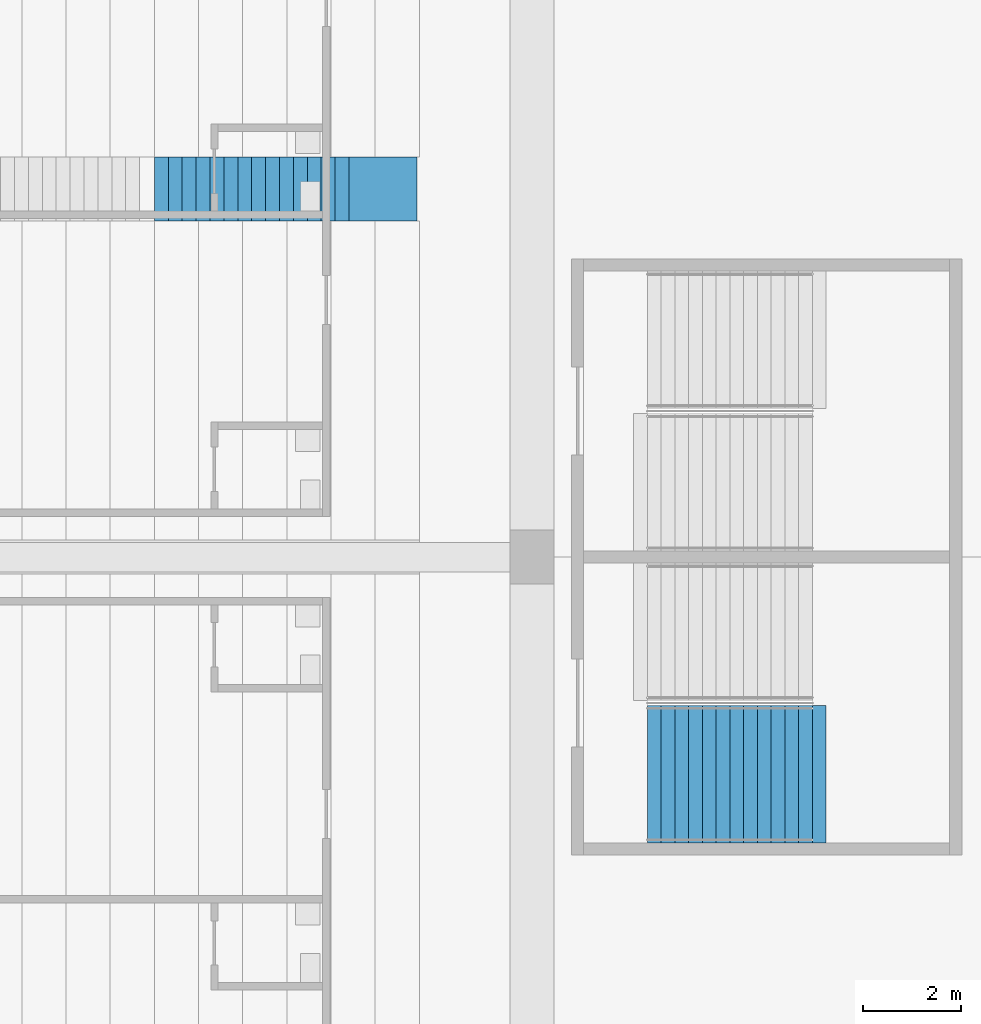
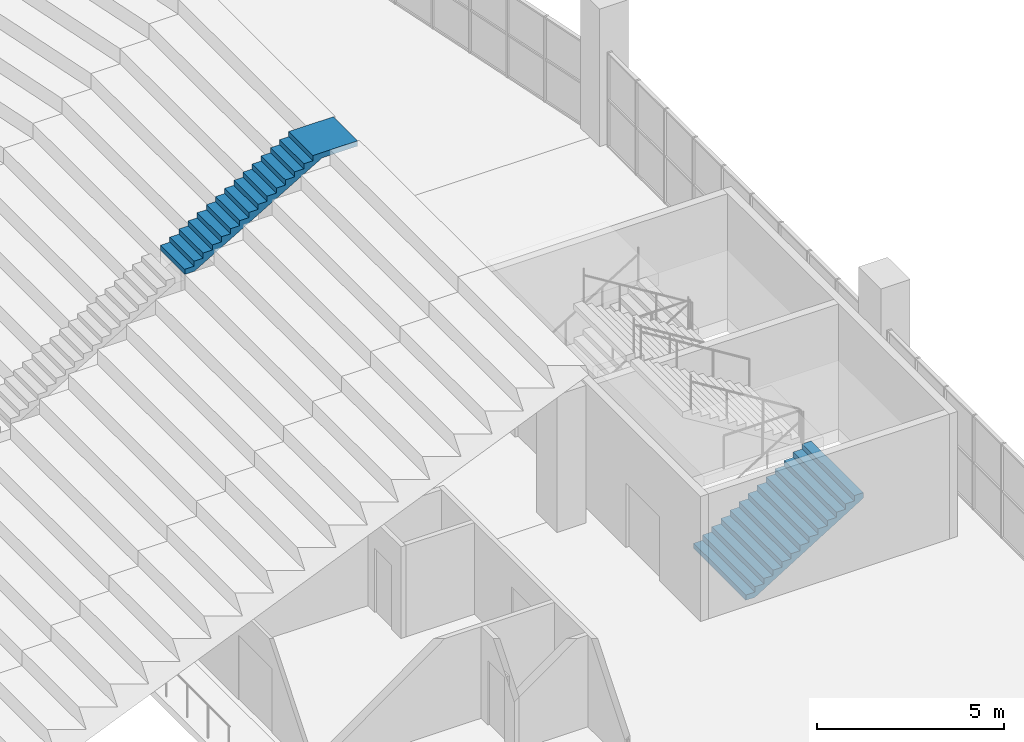
# One storey, part 220 of 249: 2 stair flights, 2 elements without a shape of their own.
"""IFC4 building model written with IfcOpenShell, lengths in metres."""

from ifc_helpers import new_model, si_unit, direction, frame, origin, place, context, subcontext, project, spatial, faceted_brep, material, type_object, element, aggregate, save


model = new_model("IFC4")

# Units and contexts
model_context = context("Model", 3, precision=1e-05, world=origin(), true_north=direction((0.0, 1.0)))
body_context = subcontext(model_context, "Body", "Model", "MODEL_VIEW")
ifc_project = project(units=[si_unit("LENGTHUNIT", "METRE"), si_unit("AREAUNIT", "SQUARE_METRE"), si_unit("VOLUMEUNIT", "CUBIC_METRE"), si_unit("PLANEANGLEUNIT", "RADIAN"), si_unit("MASSUNIT", "GRAM", prefix="KILO")], contexts=[model_context])

# Site, building, storey
site_placement = place(None, origin())
site = spatial("IfcSite", under=ifc_project, at=site_placement, CompositionType="ELEMENT")
building_placement = place(site_placement, origin())
building = spatial("IfcBuilding", under=site, at=building_placement, Name="Ogive Plaza Stadium", CompositionType="ELEMENT")
storey_placement = place(building_placement, frame((0.0, 0.0, 13.5)))
storey = spatial("IfcBuildingStorey", under=building, at=storey_placement, Name="L03", CompositionType="ELEMENT", Elevation=13.5)

# Stair, stair flight
ifc_material_1 = material(Name="Concrete C40/50", Category="concrete")
stair_type_1 = type_object("IfcStairType", Name="Aisle stair", PredefinedType="STRAIGHT_RUN_STAIR", material=ifc_material_1)
stair_1_placement = place(storey_placement, origin())
stair_1 = element("IfcStair", 1, at=stair_1_placement, inside=storey, type_object=stair_type_1, Name="Aisle stair SA01U", PredefinedType="STRAIGHT_RUN_STAIR")
ifc_material_2 = material(Name="Concrete C40/50", Category="concrete")
stair_flight_type_1 = type_object("IfcStairFlightType", Name="Aisle stair flight", PredefinedType="STRAIGHT", material=ifc_material_2)
stair_flight_1_placement = place(storey_placement, frame((66.300048828125, 45.0, 6.5), z_axis=(0.0, 0.0, 1.0), x_axis=(1.0, 0.0, 0.0)))
stair_flight_1 = element("IfcStairFlight", 2, at=stair_flight_1_placement, type_object=stair_flight_type_1, Name="SA01U flight 3", NumberOfRisers=15, NumberOfTreads=14, PredefinedType="STRAIGHT", RiserHeight=0.166666667, TreadLength=0.283333333, context=body_context, shape_type="Brep", body=[
    faceted_brep([(0.295654296875, -0.64990234375, 0.0), (4.25, -0.64990234375, 2.326171875), (5.35009765625, -0.64990234375, 2.326171875), (5.35009765625, -0.64990234375, 2.5), (3.966552734375, -0.64990234375, 2.5), (3.966552734375, -0.64990234375, 2.333251953125), (3.683349609375, -0.64990234375, 2.333251953125), (3.683349609375, -0.64990234375, 2.166748046875), (3.39990234375, -0.64990234375, 2.166748046875), (3.39990234375, -0.64990234375, 2.0), (3.11669921875, -0.64990234375, 2.0), (3.11669921875, -0.64990234375, 1.833251953125), (2.833251953125, -0.64990234375, 1.833251953125), (2.833251953125, -0.64990234375, 1.666748046875), (2.550048828125, -0.64990234375, 1.666748046875), (2.550048828125, -0.64990234375, 1.5), (2.2666015625, -0.64990234375, 1.5), (2.2666015625, -0.64990234375, 1.333251953125), (1.9833984375, -0.64990234375, 1.333251953125), (1.9833984375, -0.64990234375, 1.166748046875), (1.699951171875, -0.64990234375, 1.166748046875), (1.699951171875, -0.64990234375, 1.0), (1.416748046875, -0.64990234375, 1.0), (1.416748046875, -0.64990234375, 0.833251953125), (1.13330078125, -0.64990234375, 0.833251953125), (1.13330078125, -0.64990234375, 0.666748046875), (0.85009765625, -0.64990234375, 0.666748046875), (0.85009765625, -0.64990234375, 0.5), (0.566650390625, -0.64990234375, 0.5), (0.566650390625, -0.64990234375, 0.333251953125), (0.283447265625, -0.64990234375, 0.333251953125), (0.283447265625, -0.64990234375, 0.166748046875), (0.0, -0.64990234375, 0.166748046875), (0.0, -0.64990234375, 0.0), (0.0, 0.64990234375, 0.0), (0.0, 0.64990234375, 0.166748046875), (0.283447265625, 0.64990234375, 0.166748046875), (0.283447265625, 0.64990234375, 0.333251953125), (0.566650390625, 0.64990234375, 0.333251953125), (0.566650390625, 0.64990234375, 0.5), (0.85009765625, 0.64990234375, 0.5), (0.85009765625, 0.64990234375, 0.666748046875), (1.13330078125, 0.64990234375, 0.666748046875), (1.13330078125, 0.64990234375, 0.833251953125), (1.416748046875, 0.64990234375, 0.833251953125), (1.416748046875, 0.64990234375, 1.0), (1.699951171875, 0.64990234375, 1.0), (1.699951171875, 0.64990234375, 1.166748046875), (1.9833984375, 0.64990234375, 1.166748046875), (1.9833984375, 0.64990234375, 1.333251953125), (2.2666015625, 0.64990234375, 1.333251953125), (2.2666015625, 0.64990234375, 1.5), (2.550048828125, 0.64990234375, 1.5), (2.550048828125, 0.64990234375, 1.666748046875), (2.833251953125, 0.64990234375, 1.666748046875), (2.833251953125, 0.64990234375, 1.833251953125), (3.11669921875, 0.64990234375, 1.833251953125), (3.11669921875, 0.64990234375, 2.0), (3.39990234375, 0.64990234375, 2.0), (3.39990234375, 0.64990234375, 2.166748046875), (3.683349609375, 0.64990234375, 2.166748046875), (3.683349609375, 0.64990234375, 2.333251953125), (3.966552734375, 0.64990234375, 2.333251953125), (3.966552734375, 0.64990234375, 2.5), (5.35009765625, 0.64990234375, 2.5), (5.35009765625, 0.64990234375, 2.326171875), (4.25, 0.64990234375, 2.326171875), (0.295654296875, 0.64990234375, 0.0), (0.295654296875, -0.324951171875, 0.0), (4.25, -0.324951171875, 2.326171875), (0.295654296875, 0.0, 0.0), (4.25, 0.0, 2.326171875), (0.295654296875, 0.324951171875, 0.0), (4.25, 0.324951171875, 2.326171875), (5.35009765625, -0.324951171875, 2.326171875), (5.35009765625, 0.0, 2.326171875), (5.35009765625, 0.324951171875, 2.326171875), (5.35009765625, -0.324951171875, 2.5), (5.35009765625, 0.0, 2.5), (5.35009765625, 0.324951171875, 2.5), (3.966552734375, -0.324951171875, 2.5), (3.966552734375, 0.0, 2.5), (3.966552734375, 0.324951171875, 2.5), (3.966552734375, -0.324951171875, 2.333251953125), (3.966552734375, 0.0, 2.333251953125), (3.966552734375, 0.324951171875, 2.333251953125), (3.683349609375, -0.324951171875, 2.333251953125), (3.683349609375, 0.0, 2.333251953125), (3.683349609375, 0.324951171875, 2.333251953125), (3.683349609375, -0.324951171875, 2.166748046875), (3.683349609375, 0.0, 2.166748046875), (3.683349609375, 0.324951171875, 2.166748046875), (3.39990234375, -0.324951171875, 2.166748046875), (3.39990234375, 0.0, 2.166748046875), (3.39990234375, 0.324951171875, 2.166748046875), (3.39990234375, -0.324951171875, 2.0), (3.39990234375, 0.0, 2.0), (3.39990234375, 0.324951171875, 2.0), (3.11669921875, -0.324951171875, 2.0), (3.11669921875, 0.0, 2.0), (3.11669921875, 0.324951171875, 2.0), (3.11669921875, -0.324951171875, 1.833251953125), (3.11669921875, 0.0, 1.833251953125), (3.11669921875, 0.324951171875, 1.833251953125), (2.833251953125, -0.324951171875, 1.833251953125), (2.833251953125, 0.0, 1.833251953125), (2.833251953125, 0.324951171875, 1.833251953125), (2.833251953125, -0.324951171875, 1.666748046875), (2.833251953125, 0.0, 1.666748046875), (2.833251953125, 0.324951171875, 1.666748046875), (2.550048828125, -0.324951171875, 1.666748046875), (2.550048828125, 0.0, 1.666748046875), (2.550048828125, 0.324951171875, 1.666748046875), (2.550048828125, -0.324951171875, 1.5), (2.550048828125, 0.0, 1.5), (2.550048828125, 0.324951171875, 1.5), (2.2666015625, -0.324951171875, 1.5), (2.2666015625, 0.0, 1.5), (2.2666015625, 0.324951171875, 1.5), (2.2666015625, -0.324951171875, 1.333251953125), (2.2666015625, 0.0, 1.333251953125), (2.2666015625, 0.324951171875, 1.333251953125), (1.9833984375, -0.324951171875, 1.333251953125), (1.9833984375, 0.0, 1.333251953125), (1.9833984375, 0.324951171875, 1.333251953125), (1.9833984375, -0.324951171875, 1.166748046875), (1.9833984375, 0.0, 1.166748046875), (1.9833984375, 0.324951171875, 1.166748046875), (1.699951171875, -0.324951171875, 1.166748046875), (1.699951171875, 0.0, 1.166748046875), (1.699951171875, 0.324951171875, 1.166748046875), (1.699951171875, -0.324951171875, 1.0), (1.699951171875, 0.0, 1.0), (1.699951171875, 0.324951171875, 1.0), (1.416748046875, -0.324951171875, 1.0), (1.416748046875, 0.0, 1.0), (1.416748046875, 0.324951171875, 1.0), (1.416748046875, -0.324951171875, 0.833251953125), (1.416748046875, 0.0, 0.833251953125), (1.416748046875, 0.324951171875, 0.833251953125), (1.13330078125, -0.324951171875, 0.833251953125), (1.13330078125, 0.0, 0.833251953125), (1.13330078125, 0.324951171875, 0.833251953125), (1.13330078125, -0.324951171875, 0.666748046875), (1.13330078125, 0.0, 0.666748046875), (1.13330078125, 0.324951171875, 0.666748046875), (0.85009765625, -0.324951171875, 0.666748046875), (0.85009765625, 0.0, 0.666748046875), (0.85009765625, 0.324951171875, 0.666748046875), (0.85009765625, -0.324951171875, 0.5), (0.85009765625, 0.0, 0.5), (0.85009765625, 0.324951171875, 0.5), (0.566650390625, -0.324951171875, 0.5), (0.566650390625, 0.0, 0.5), (0.566650390625, 0.324951171875, 0.5), (0.566650390625, -0.324951171875, 0.333251953125), (0.566650390625, 0.0, 0.333251953125), (0.566650390625, 0.324951171875, 0.333251953125), (0.283447265625, -0.324951171875, 0.333251953125), (0.283447265625, 0.0, 0.333251953125), (0.283447265625, 0.324951171875, 0.333251953125), (0.283447265625, -0.324951171875, 0.166748046875), (0.283447265625, 0.0, 0.166748046875), (0.283447265625, 0.324951171875, 0.166748046875), (0.0, -0.324951171875, 0.166748046875), (0.0, 0.0, 0.166748046875), (0.0, 0.324951171875, 0.166748046875), (0.0, -0.324951171875, 0.0), (0.0, 0.0, 0.0), (0.0, 0.324951171875, 0.0)], [[[0, 1, 2, 3, 4, 5, 6, 7, 8, 9, 10, 11, 12, 13, 14, 15, 16, 17, 18, 19, 20, 21, 22, 23, 24, 25, 26, 27, 28, 29, 30, 31, 32, 33]], [[34, 35, 36, 37, 38, 39, 40, 41, 42, 43, 44, 45, 46, 47, 48, 49, 50, 51, 52, 53, 54, 55, 56, 57, 58, 59, 60, 61, 62, 63, 64, 65, 66, 67]], [[0, 68, 69, 1]], [[68, 70, 71, 69]], [[70, 72, 73, 71]], [[72, 67, 66, 73]], [[1, 69, 74, 2]], [[69, 71, 75, 74]], [[71, 73, 76, 75]], [[73, 66, 65, 76]], [[2, 74, 77, 3]], [[74, 75, 78, 77]], [[75, 76, 79, 78]], [[76, 65, 64, 79]], [[3, 77, 80, 4]], [[77, 78, 81, 80]], [[78, 79, 82, 81]], [[79, 64, 63, 82]], [[4, 80, 83, 5]], [[80, 81, 84, 83]], [[81, 82, 85, 84]], [[82, 63, 62, 85]], [[5, 83, 86, 6]], [[83, 84, 87, 86]], [[84, 85, 88, 87]], [[85, 62, 61, 88]], [[6, 86, 89, 7]], [[86, 87, 90, 89]], [[87, 88, 91, 90]], [[88, 61, 60, 91]], [[7, 89, 92, 8]], [[89, 90, 93, 92]], [[90, 91, 94, 93]], [[91, 60, 59, 94]], [[8, 92, 95, 9]], [[92, 93, 96, 95]], [[93, 94, 97, 96]], [[94, 59, 58, 97]], [[9, 95, 98, 10]], [[95, 96, 99, 98]], [[96, 97, 100, 99]], [[97, 58, 57, 100]], [[10, 98, 101, 11]], [[98, 99, 102, 101]], [[99, 100, 103, 102]], [[100, 57, 56, 103]], [[11, 101, 104, 12]], [[101, 102, 105, 104]], [[102, 103, 106, 105]], [[103, 56, 55, 106]], [[12, 104, 107, 13]], [[104, 105, 108, 107]], [[105, 106, 109, 108]], [[106, 55, 54, 109]], [[13, 107, 110, 14]], [[107, 108, 111, 110]], [[108, 109, 112, 111]], [[109, 54, 53, 112]], [[14, 110, 113, 15]], [[110, 111, 114, 113]], [[111, 112, 115, 114]], [[112, 53, 52, 115]], [[15, 113, 116, 16]], [[113, 114, 117, 116]], [[114, 115, 118, 117]], [[115, 52, 51, 118]], [[16, 116, 119, 17]], [[116, 117, 120, 119]], [[117, 118, 121, 120]], [[118, 51, 50, 121]], [[17, 119, 122, 18]], [[119, 120, 123, 122]], [[120, 121, 124, 123]], [[121, 50, 49, 124]], [[18, 122, 125, 19]], [[122, 123, 126, 125]], [[123, 124, 127, 126]], [[124, 49, 48, 127]], [[19, 125, 128, 20]], [[125, 126, 129, 128]], [[126, 127, 130, 129]], [[127, 48, 47, 130]], [[20, 128, 131, 21]], [[128, 129, 132, 131]], [[129, 130, 133, 132]], [[130, 47, 46, 133]], [[21, 131, 134, 22]], [[131, 132, 135, 134]], [[132, 133, 136, 135]], [[133, 46, 45, 136]], [[22, 134, 137, 23]], [[134, 135, 138, 137]], [[135, 136, 139, 138]], [[136, 45, 44, 139]], [[23, 137, 140, 24]], [[137, 138, 141, 140]], [[138, 139, 142, 141]], [[139, 44, 43, 142]], [[24, 140, 143, 25]], [[140, 141, 144, 143]], [[141, 142, 145, 144]], [[142, 43, 42, 145]], [[25, 143, 146, 26]], [[143, 144, 147, 146]], [[144, 145, 148, 147]], [[145, 42, 41, 148]], [[26, 146, 149, 27]], [[146, 147, 150, 149]], [[147, 148, 151, 150]], [[148, 41, 40, 151]], [[27, 149, 152, 28]], [[149, 150, 153, 152]], [[150, 151, 154, 153]], [[151, 40, 39, 154]], [[28, 152, 155, 29]], [[152, 153, 156, 155]], [[153, 154, 157, 156]], [[154, 39, 38, 157]], [[29, 155, 158, 30]], [[155, 156, 159, 158]], [[156, 157, 160, 159]], [[157, 38, 37, 160]], [[30, 158, 161, 31]], [[158, 159, 162, 161]], [[159, 160, 163, 162]], [[160, 37, 36, 163]], [[31, 161, 164, 32]], [[161, 162, 165, 164]], [[162, 163, 166, 165]], [[163, 36, 35, 166]], [[32, 164, 167, 33]], [[164, 165, 168, 167]], [[165, 166, 169, 168]], [[166, 35, 34, 169]], [[33, 167, 68, 0]], [[167, 168, 70, 68]], [[168, 169, 72, 70]], [[169, 34, 67, 72]]]),
])
aggregate(stair_1, [stair_flight_1])

ifc_material_3 = material(Name="Concrete C40/50", Category="concrete")
stair_type_2 = type_object("IfcStairType", Name="Exit stair", PredefinedType="STRAIGHT_RUN_STAIR", material=ifc_material_3)
stair_2_placement = place(storey_placement, origin())
stair_2 = element("IfcStair", 3, at=stair_2_placement, inside=storey, type_object=stair_type_2, Name="Exit stair ST02A L03 to L04", PredefinedType="STRAIGHT_RUN_STAIR")
ifc_material_4 = material(Name="Concrete C40/50", Category="concrete")
stair_flight_type_2 = type_object("IfcStairFlightType", Name="Exit stair flight", PredefinedType="STRAIGHT", material=ifc_material_4)
stair_flight_2_placement = place(storey_placement, frame((76.35009765625, 33.074951171875, 0.0), z_axis=(0.0, 0.0, 1.0), x_axis=(1.0, 0.0, 0.0)))
stair_flight_2 = element("IfcStairFlight", 4, at=stair_flight_2_placement, type_object=stair_flight_type_2, Name="ST02A flight 1", NumberOfRisers=13, NumberOfTreads=12, PredefinedType="STRAIGHT", RiserHeight=0.173076923, TreadLength=0.28, context=body_context, shape_type="Brep", body=[
    faceted_brep([(0.28515625, -1.39990234375, 0.0), (3.639892578125, -1.39990234375, 2.07373046875), (3.639892578125, -1.39990234375, 2.25), (3.360107421875, -1.39990234375, 2.25), (3.360107421875, -1.39990234375, 2.076904296875), (3.080078125, -1.39990234375, 2.076904296875), (3.080078125, -1.39990234375, 1.90380859375), (2.800048828125, -1.39990234375, 1.90380859375), (2.800048828125, -1.39990234375, 1.730712890625), (2.52001953125, -1.39990234375, 1.730712890625), (2.52001953125, -1.39990234375, 1.5576171875), (2.239990234375, -1.39990234375, 1.5576171875), (2.239990234375, -1.39990234375, 1.384521484375), (1.9599609375, -1.39990234375, 1.384521484375), (1.9599609375, -1.39990234375, 1.21142578125), (1.679931640625, -1.39990234375, 1.21142578125), (1.679931640625, -1.39990234375, 1.03857421875), (1.39990234375, -1.39990234375, 1.03857421875), (1.39990234375, -1.39990234375, 0.865478515625), (1.1201171875, -1.39990234375, 0.865478515625), (1.1201171875, -1.39990234375, 0.6923828125), (0.840087890625, -1.39990234375, 0.6923828125), (0.840087890625, -1.39990234375, 0.519287109375), (0.56005859375, -1.39990234375, 0.519287109375), (0.56005859375, -1.39990234375, 0.34619140625), (0.280029296875, -1.39990234375, 0.34619140625), (0.280029296875, -1.39990234375, 0.173095703125), (0.0, -1.39990234375, 0.173095703125), (0.0, -1.39990234375, 0.0), (0.0, 1.39990234375, 0.0), (0.0, 1.39990234375, 0.173095703125), (0.280029296875, 1.39990234375, 0.173095703125), (0.280029296875, 1.39990234375, 0.34619140625), (0.56005859375, 1.39990234375, 0.34619140625), (0.56005859375, 1.39990234375, 0.519287109375), (0.840087890625, 1.39990234375, 0.519287109375), (0.840087890625, 1.39990234375, 0.6923828125), (1.1201171875, 1.39990234375, 0.6923828125), (1.1201171875, 1.39990234375, 0.865478515625), (1.39990234375, 1.39990234375, 0.865478515625), (1.39990234375, 1.39990234375, 1.03857421875), (1.679931640625, 1.39990234375, 1.03857421875), (1.679931640625, 1.39990234375, 1.21142578125), (1.9599609375, 1.39990234375, 1.21142578125), (1.9599609375, 1.39990234375, 1.384521484375), (2.239990234375, 1.39990234375, 1.384521484375), (2.239990234375, 1.39990234375, 1.5576171875), (2.52001953125, 1.39990234375, 1.5576171875), (2.52001953125, 1.39990234375, 1.730712890625), (2.800048828125, 1.39990234375, 1.730712890625), (2.800048828125, 1.39990234375, 1.90380859375), (3.080078125, 1.39990234375, 1.90380859375), (3.080078125, 1.39990234375, 2.076904296875), (3.360107421875, 1.39990234375, 2.076904296875), (3.360107421875, 1.39990234375, 2.25), (3.639892578125, 1.39990234375, 2.25), (3.639892578125, 1.39990234375, 2.07373046875), (0.28515625, 1.39990234375, 0.0), (0.28515625, -1.0888671875, 0.0), (3.639892578125, -1.0888671875, 2.07373046875), (0.28515625, -0.77783203125, 0.0), (3.639892578125, -0.77783203125, 2.07373046875), (0.28515625, -0.466796875, 0.0), (3.639892578125, -0.466796875, 2.07373046875), (0.28515625, -0.155517578125, 0.0), (3.639892578125, -0.155517578125, 2.07373046875), (0.28515625, 0.155517578125, 0.0), (3.639892578125, 0.155517578125, 2.07373046875), (0.28515625, 0.466796875, 0.0), (3.639892578125, 0.466796875, 2.07373046875), (0.28515625, 0.77783203125, 0.0), (3.639892578125, 0.77783203125, 2.07373046875), (0.28515625, 1.0888671875, 0.0), (3.639892578125, 1.0888671875, 2.07373046875), (3.639892578125, -1.0888671875, 2.25), (3.639892578125, -0.77783203125, 2.25), (3.639892578125, -0.466796875, 2.25), (3.639892578125, -0.155517578125, 2.25), (3.639892578125, 0.155517578125, 2.25), (3.639892578125, 0.466796875, 2.25), (3.639892578125, 0.77783203125, 2.25), (3.639892578125, 1.0888671875, 2.25), (3.360107421875, -1.0888671875, 2.25), (3.360107421875, -0.77783203125, 2.25), (3.360107421875, -0.466796875, 2.25), (3.360107421875, -0.155517578125, 2.25), (3.360107421875, 0.155517578125, 2.25), (3.360107421875, 0.466796875, 2.25), (3.360107421875, 0.77783203125, 2.25), (3.360107421875, 1.0888671875, 2.25), (3.360107421875, -1.0888671875, 2.076904296875), (3.360107421875, -0.77783203125, 2.076904296875), (3.360107421875, -0.466796875, 2.076904296875), (3.360107421875, -0.155517578125, 2.076904296875), (3.360107421875, 0.155517578125, 2.076904296875), (3.360107421875, 0.466796875, 2.076904296875), (3.360107421875, 0.77783203125, 2.076904296875), (3.360107421875, 1.0888671875, 2.076904296875), (3.080078125, -1.0888671875, 2.076904296875), (3.080078125, -0.77783203125, 2.076904296875), (3.080078125, -0.466796875, 2.076904296875), (3.080078125, -0.155517578125, 2.076904296875), (3.080078125, 0.155517578125, 2.076904296875), (3.080078125, 0.466796875, 2.076904296875), (3.080078125, 0.77783203125, 2.076904296875), (3.080078125, 1.0888671875, 2.076904296875), (3.080078125, -1.0888671875, 1.90380859375), (3.080078125, -0.77783203125, 1.90380859375), (3.080078125, -0.466796875, 1.90380859375), (3.080078125, -0.155517578125, 1.90380859375), (3.080078125, 0.155517578125, 1.90380859375), (3.080078125, 0.466796875, 1.90380859375), (3.080078125, 0.77783203125, 1.90380859375), (3.080078125, 1.0888671875, 1.90380859375), (2.800048828125, -1.0888671875, 1.90380859375), (2.800048828125, -0.77783203125, 1.90380859375), (2.800048828125, -0.466796875, 1.90380859375), (2.800048828125, -0.155517578125, 1.90380859375), (2.800048828125, 0.155517578125, 1.90380859375), (2.800048828125, 0.466796875, 1.90380859375), (2.800048828125, 0.77783203125, 1.90380859375), (2.800048828125, 1.0888671875, 1.90380859375), (2.800048828125, -1.0888671875, 1.730712890625), (2.800048828125, -0.77783203125, 1.730712890625), (2.800048828125, -0.466796875, 1.730712890625), (2.800048828125, -0.155517578125, 1.730712890625), (2.800048828125, 0.155517578125, 1.730712890625), (2.800048828125, 0.466796875, 1.730712890625), (2.800048828125, 0.77783203125, 1.730712890625), (2.800048828125, 1.0888671875, 1.730712890625), (2.52001953125, -1.0888671875, 1.730712890625), (2.52001953125, -0.77783203125, 1.730712890625), (2.52001953125, -0.466796875, 1.730712890625), (2.52001953125, -0.155517578125, 1.730712890625), (2.52001953125, 0.155517578125, 1.730712890625), (2.52001953125, 0.466796875, 1.730712890625), (2.52001953125, 0.77783203125, 1.730712890625), (2.52001953125, 1.0888671875, 1.730712890625), (2.52001953125, -1.0888671875, 1.5576171875), (2.52001953125, -0.77783203125, 1.5576171875), (2.52001953125, -0.466796875, 1.5576171875), (2.52001953125, -0.155517578125, 1.5576171875), (2.52001953125, 0.155517578125, 1.5576171875), (2.52001953125, 0.466796875, 1.5576171875), (2.52001953125, 0.77783203125, 1.5576171875), (2.52001953125, 1.0888671875, 1.5576171875), (2.239990234375, -1.0888671875, 1.5576171875), (2.239990234375, -0.77783203125, 1.5576171875), (2.239990234375, -0.466796875, 1.5576171875), (2.239990234375, -0.155517578125, 1.5576171875), (2.239990234375, 0.155517578125, 1.5576171875), (2.239990234375, 0.466796875, 1.5576171875), (2.239990234375, 0.77783203125, 1.5576171875), (2.239990234375, 1.0888671875, 1.5576171875), (2.239990234375, -1.0888671875, 1.384521484375), (2.239990234375, -0.77783203125, 1.384521484375), (2.239990234375, -0.466796875, 1.384521484375), (2.239990234375, -0.155517578125, 1.384521484375), (2.239990234375, 0.155517578125, 1.384521484375), (2.239990234375, 0.466796875, 1.384521484375), (2.239990234375, 0.77783203125, 1.384521484375), (2.239990234375, 1.0888671875, 1.384521484375), (1.9599609375, -1.0888671875, 1.384521484375), (1.9599609375, -0.77783203125, 1.384521484375), (1.9599609375, -0.466796875, 1.384521484375), (1.9599609375, -0.155517578125, 1.384521484375), (1.9599609375, 0.155517578125, 1.384521484375), (1.9599609375, 0.466796875, 1.384521484375), (1.9599609375, 0.77783203125, 1.384521484375), (1.9599609375, 1.0888671875, 1.384521484375), (1.9599609375, -1.0888671875, 1.21142578125), (1.9599609375, -0.77783203125, 1.21142578125), (1.9599609375, -0.466796875, 1.21142578125), (1.9599609375, -0.155517578125, 1.21142578125), (1.9599609375, 0.155517578125, 1.21142578125), (1.9599609375, 0.466796875, 1.21142578125), (1.9599609375, 0.77783203125, 1.21142578125), (1.9599609375, 1.0888671875, 1.21142578125), (1.679931640625, -1.0888671875, 1.21142578125), (1.679931640625, -0.77783203125, 1.21142578125), (1.679931640625, -0.466796875, 1.21142578125), (1.679931640625, -0.155517578125, 1.21142578125), (1.679931640625, 0.155517578125, 1.21142578125), (1.679931640625, 0.466796875, 1.21142578125), (1.679931640625, 0.77783203125, 1.21142578125), (1.679931640625, 1.0888671875, 1.21142578125), (1.679931640625, -1.0888671875, 1.03857421875), (1.679931640625, -0.77783203125, 1.03857421875), (1.679931640625, -0.466796875, 1.03857421875), (1.679931640625, -0.155517578125, 1.03857421875), (1.679931640625, 0.155517578125, 1.03857421875), (1.679931640625, 0.466796875, 1.03857421875), (1.679931640625, 0.77783203125, 1.03857421875), (1.679931640625, 1.0888671875, 1.03857421875), (1.39990234375, -1.0888671875, 1.03857421875), (1.39990234375, -0.77783203125, 1.03857421875), (1.39990234375, -0.466796875, 1.03857421875), (1.39990234375, -0.155517578125, 1.03857421875), (1.39990234375, 0.155517578125, 1.03857421875), (1.39990234375, 0.466796875, 1.03857421875), (1.39990234375, 0.77783203125, 1.03857421875), (1.39990234375, 1.0888671875, 1.03857421875), (1.39990234375, -1.0888671875, 0.865478515625), (1.39990234375, -0.77783203125, 0.865478515625), (1.39990234375, -0.466796875, 0.865478515625), (1.39990234375, -0.155517578125, 0.865478515625), (1.39990234375, 0.155517578125, 0.865478515625), (1.39990234375, 0.466796875, 0.865478515625), (1.39990234375, 0.77783203125, 0.865478515625), (1.39990234375, 1.0888671875, 0.865478515625), (1.1201171875, -1.0888671875, 0.865478515625), (1.1201171875, -0.77783203125, 0.865478515625), (1.1201171875, -0.466796875, 0.865478515625), (1.1201171875, -0.155517578125, 0.865478515625), (1.1201171875, 0.155517578125, 0.865478515625), (1.1201171875, 0.466796875, 0.865478515625), (1.1201171875, 0.77783203125, 0.865478515625), (1.1201171875, 1.0888671875, 0.865478515625), (1.1201171875, -1.0888671875, 0.6923828125), (1.1201171875, -0.77783203125, 0.6923828125), (1.1201171875, -0.466796875, 0.6923828125), (1.1201171875, -0.155517578125, 0.6923828125), (1.1201171875, 0.155517578125, 0.6923828125), (1.1201171875, 0.466796875, 0.6923828125), (1.1201171875, 0.77783203125, 0.6923828125), (1.1201171875, 1.0888671875, 0.6923828125), (0.840087890625, -1.0888671875, 0.6923828125), (0.840087890625, -0.77783203125, 0.6923828125), (0.840087890625, -0.466796875, 0.6923828125), (0.840087890625, -0.155517578125, 0.6923828125), (0.840087890625, 0.155517578125, 0.6923828125), (0.840087890625, 0.466796875, 0.6923828125), (0.840087890625, 0.77783203125, 0.6923828125), (0.840087890625, 1.0888671875, 0.6923828125), (0.840087890625, -1.0888671875, 0.519287109375), (0.840087890625, -0.77783203125, 0.519287109375), (0.840087890625, -0.466796875, 0.519287109375), (0.840087890625, -0.155517578125, 0.519287109375), (0.840087890625, 0.155517578125, 0.519287109375), (0.840087890625, 0.466796875, 0.519287109375), (0.840087890625, 0.77783203125, 0.519287109375), (0.840087890625, 1.0888671875, 0.519287109375), (0.56005859375, -1.0888671875, 0.519287109375), (0.56005859375, -0.77783203125, 0.519287109375), (0.56005859375, -0.466796875, 0.519287109375), (0.56005859375, -0.155517578125, 0.519287109375), (0.56005859375, 0.155517578125, 0.519287109375), (0.56005859375, 0.466796875, 0.519287109375), (0.56005859375, 0.77783203125, 0.519287109375), (0.56005859375, 1.0888671875, 0.519287109375), (0.56005859375, -1.0888671875, 0.34619140625), (0.56005859375, -0.77783203125, 0.34619140625), (0.56005859375, -0.466796875, 0.34619140625), (0.56005859375, -0.155517578125, 0.34619140625), (0.56005859375, 0.155517578125, 0.34619140625), (0.56005859375, 0.466796875, 0.34619140625), (0.56005859375, 0.77783203125, 0.34619140625), (0.56005859375, 1.0888671875, 0.34619140625), (0.280029296875, -1.0888671875, 0.34619140625), (0.280029296875, -0.77783203125, 0.34619140625), (0.280029296875, -0.466796875, 0.34619140625), (0.280029296875, -0.155517578125, 0.34619140625), (0.280029296875, 0.155517578125, 0.34619140625), (0.280029296875, 0.466796875, 0.34619140625), (0.280029296875, 0.77783203125, 0.34619140625), (0.280029296875, 1.0888671875, 0.34619140625), (0.280029296875, -1.0888671875, 0.173095703125), (0.280029296875, -0.77783203125, 0.173095703125), (0.280029296875, -0.466796875, 0.173095703125), (0.280029296875, -0.155517578125, 0.173095703125), (0.280029296875, 0.155517578125, 0.173095703125), (0.280029296875, 0.466796875, 0.173095703125), (0.280029296875, 0.77783203125, 0.173095703125), (0.280029296875, 1.0888671875, 0.173095703125), (0.0, -1.0888671875, 0.173095703125), (0.0, -0.77783203125, 0.173095703125), (0.0, -0.466796875, 0.173095703125), (0.0, -0.155517578125, 0.173095703125), (0.0, 0.155517578125, 0.173095703125), (0.0, 0.466796875, 0.173095703125), (0.0, 0.77783203125, 0.173095703125), (0.0, 1.0888671875, 0.173095703125), (0.0, -1.0888671875, 0.0), (0.0, -0.77783203125, 0.0), (0.0, -0.466796875, 0.0), (0.0, -0.155517578125, 0.0), (0.0, 0.155517578125, 0.0), (0.0, 0.466796875, 0.0), (0.0, 0.77783203125, 0.0), (0.0, 1.0888671875, 0.0)], [[[0, 1, 2, 3, 4, 5, 6, 7, 8, 9, 10, 11, 12, 13, 14, 15, 16, 17, 18, 19, 20, 21, 22, 23, 24, 25, 26, 27, 28]], [[29, 30, 31, 32, 33, 34, 35, 36, 37, 38, 39, 40, 41, 42, 43, 44, 45, 46, 47, 48, 49, 50, 51, 52, 53, 54, 55, 56, 57]], [[0, 58, 59, 1]], [[58, 60, 61, 59]], [[60, 62, 63, 61]], [[62, 64, 65, 63]], [[64, 66, 67, 65]], [[66, 68, 69, 67]], [[68, 70, 71, 69]], [[70, 72, 73, 71]], [[72, 57, 56, 73]], [[1, 59, 74, 2]], [[59, 61, 75, 74]], [[61, 63, 76, 75]], [[63, 65, 77, 76]], [[65, 67, 78, 77]], [[67, 69, 79, 78]], [[69, 71, 80, 79]], [[71, 73, 81, 80]], [[73, 56, 55, 81]], [[2, 74, 82, 3]], [[74, 75, 83, 82]], [[75, 76, 84, 83]], [[76, 77, 85, 84]], [[77, 78, 86, 85]], [[78, 79, 87, 86]], [[79, 80, 88, 87]], [[80, 81, 89, 88]], [[81, 55, 54, 89]], [[3, 82, 90, 4]], [[82, 83, 91, 90]], [[83, 84, 92, 91]], [[84, 85, 93, 92]], [[85, 86, 94, 93]], [[86, 87, 95, 94]], [[87, 88, 96, 95]], [[88, 89, 97, 96]], [[89, 54, 53, 97]], [[4, 90, 98, 5]], [[90, 91, 99, 98]], [[91, 92, 100, 99]], [[92, 93, 101, 100]], [[93, 94, 102, 101]], [[94, 95, 103, 102]], [[95, 96, 104, 103]], [[96, 97, 105, 104]], [[97, 53, 52, 105]], [[5, 98, 106, 6]], [[98, 99, 107, 106]], [[99, 100, 108, 107]], [[100, 101, 109, 108]], [[101, 102, 110, 109]], [[102, 103, 111, 110]], [[103, 104, 112, 111]], [[104, 105, 113, 112]], [[105, 52, 51, 113]], [[6, 106, 114, 7]], [[106, 107, 115, 114]], [[107, 108, 116, 115]], [[108, 109, 117, 116]], [[109, 110, 118, 117]], [[110, 111, 119, 118]], [[111, 112, 120, 119]], [[112, 113, 121, 120]], [[113, 51, 50, 121]], [[7, 114, 122, 8]], [[114, 115, 123, 122]], [[115, 116, 124, 123]], [[116, 117, 125, 124]], [[117, 118, 126, 125]], [[118, 119, 127, 126]], [[119, 120, 128, 127]], [[120, 121, 129, 128]], [[121, 50, 49, 129]], [[8, 122, 130, 9]], [[122, 123, 131, 130]], [[123, 124, 132, 131]], [[124, 125, 133, 132]], [[125, 126, 134, 133]], [[126, 127, 135, 134]], [[127, 128, 136, 135]], [[128, 129, 137, 136]], [[129, 49, 48, 137]], [[9, 130, 138, 10]], [[130, 131, 139, 138]], [[131, 132, 140, 139]], [[132, 133, 141, 140]], [[133, 134, 142, 141]], [[134, 135, 143, 142]], [[135, 136, 144, 143]], [[136, 137, 145, 144]], [[137, 48, 47, 145]], [[10, 138, 146, 11]], [[138, 139, 147, 146]], [[139, 140, 148, 147]], [[140, 141, 149, 148]], [[141, 142, 150, 149]], [[142, 143, 151, 150]], [[143, 144, 152, 151]], [[144, 145, 153, 152]], [[145, 47, 46, 153]], [[11, 146, 154, 12]], [[146, 147, 155, 154]], [[147, 148, 156, 155]], [[148, 149, 157, 156]], [[149, 150, 158, 157]], [[150, 151, 159, 158]], [[151, 152, 160, 159]], [[152, 153, 161, 160]], [[153, 46, 45, 161]], [[12, 154, 162, 13]], [[154, 155, 163, 162]], [[155, 156, 164, 163]], [[156, 157, 165, 164]], [[157, 158, 166, 165]], [[158, 159, 167, 166]], [[159, 160, 168, 167]], [[160, 161, 169, 168]], [[161, 45, 44, 169]], [[13, 162, 170, 14]], [[162, 163, 171, 170]], [[163, 164, 172, 171]], [[164, 165, 173, 172]], [[165, 166, 174, 173]], [[166, 167, 175, 174]], [[167, 168, 176, 175]], [[168, 169, 177, 176]], [[169, 44, 43, 177]], [[14, 170, 178, 15]], [[170, 171, 179, 178]], [[171, 172, 180, 179]], [[172, 173, 181, 180]], [[173, 174, 182, 181]], [[174, 175, 183, 182]], [[175, 176, 184, 183]], [[176, 177, 185, 184]], [[177, 43, 42, 185]], [[15, 178, 186, 16]], [[178, 179, 187, 186]], [[179, 180, 188, 187]], [[180, 181, 189, 188]], [[181, 182, 190, 189]], [[182, 183, 191, 190]], [[183, 184, 192, 191]], [[184, 185, 193, 192]], [[185, 42, 41, 193]], [[16, 186, 194, 17]], [[186, 187, 195, 194]], [[187, 188, 196, 195]], [[188, 189, 197, 196]], [[189, 190, 198, 197]], [[190, 191, 199, 198]], [[191, 192, 200, 199]], [[192, 193, 201, 200]], [[193, 41, 40, 201]], [[17, 194, 202, 18]], [[194, 195, 203, 202]], [[195, 196, 204, 203]], [[196, 197, 205, 204]], [[197, 198, 206, 205]], [[198, 199, 207, 206]], [[199, 200, 208, 207]], [[200, 201, 209, 208]], [[201, 40, 39, 209]], [[18, 202, 210, 19]], [[202, 203, 211, 210]], [[203, 204, 212, 211]], [[204, 205, 213, 212]], [[205, 206, 214, 213]], [[206, 207, 215, 214]], [[207, 208, 216, 215]], [[208, 209, 217, 216]], [[209, 39, 38, 217]], [[19, 210, 218, 20]], [[210, 211, 219, 218]], [[211, 212, 220, 219]], [[212, 213, 221, 220]], [[213, 214, 222, 221]], [[214, 215, 223, 222]], [[215, 216, 224, 223]], [[216, 217, 225, 224]], [[217, 38, 37, 225]], [[20, 218, 226, 21]], [[218, 219, 227, 226]], [[219, 220, 228, 227]], [[220, 221, 229, 228]], [[221, 222, 230, 229]], [[222, 223, 231, 230]], [[223, 224, 232, 231]], [[224, 225, 233, 232]], [[225, 37, 36, 233]], [[21, 226, 234, 22]], [[226, 227, 235, 234]], [[227, 228, 236, 235]], [[228, 229, 237, 236]], [[229, 230, 238, 237]], [[230, 231, 239, 238]], [[231, 232, 240, 239]], [[232, 233, 241, 240]], [[233, 36, 35, 241]], [[22, 234, 242, 23]], [[234, 235, 243, 242]], [[235, 236, 244, 243]], [[236, 237, 245, 244]], [[237, 238, 246, 245]], [[238, 239, 247, 246]], [[239, 240, 248, 247]], [[240, 241, 249, 248]], [[241, 35, 34, 249]], [[23, 242, 250, 24]], [[242, 243, 251, 250]], [[243, 244, 252, 251]], [[244, 245, 253, 252]], [[245, 246, 254, 253]], [[246, 247, 255, 254]], [[247, 248, 256, 255]], [[248, 249, 257, 256]], [[249, 34, 33, 257]], [[24, 250, 258, 25]], [[250, 251, 259, 258]], [[251, 252, 260, 259]], [[252, 253, 261, 260]], [[253, 254, 262, 261]], [[254, 255, 263, 262]], [[255, 256, 264, 263]], [[256, 257, 265, 264]], [[257, 33, 32, 265]], [[25, 258, 266, 26]], [[258, 259, 267, 266]], [[259, 260, 268, 267]], [[260, 261, 269, 268]], [[261, 262, 270, 269]], [[262, 263, 271, 270]], [[263, 264, 272, 271]], [[264, 265, 273, 272]], [[265, 32, 31, 273]], [[26, 266, 274, 27]], [[266, 267, 275, 274]], [[267, 268, 276, 275]], [[268, 269, 277, 276]], [[269, 270, 278, 277]], [[270, 271, 279, 278]], [[271, 272, 280, 279]], [[272, 273, 281, 280]], [[273, 31, 30, 281]], [[27, 274, 282, 28]], [[274, 275, 283, 282]], [[275, 276, 284, 283]], [[276, 277, 285, 284]], [[277, 278, 286, 285]], [[278, 279, 287, 286]], [[279, 280, 288, 287]], [[280, 281, 289, 288]], [[281, 30, 29, 289]], [[28, 282, 58, 0]], [[282, 283, 60, 58]], [[283, 284, 62, 60]], [[284, 285, 64, 62]], [[285, 286, 66, 64]], [[286, 287, 68, 66]], [[287, 288, 70, 68]], [[288, 289, 72, 70]], [[289, 29, 57, 72]]]),
])
aggregate(stair_2, [stair_flight_2])

save(model, "model.ifc")
